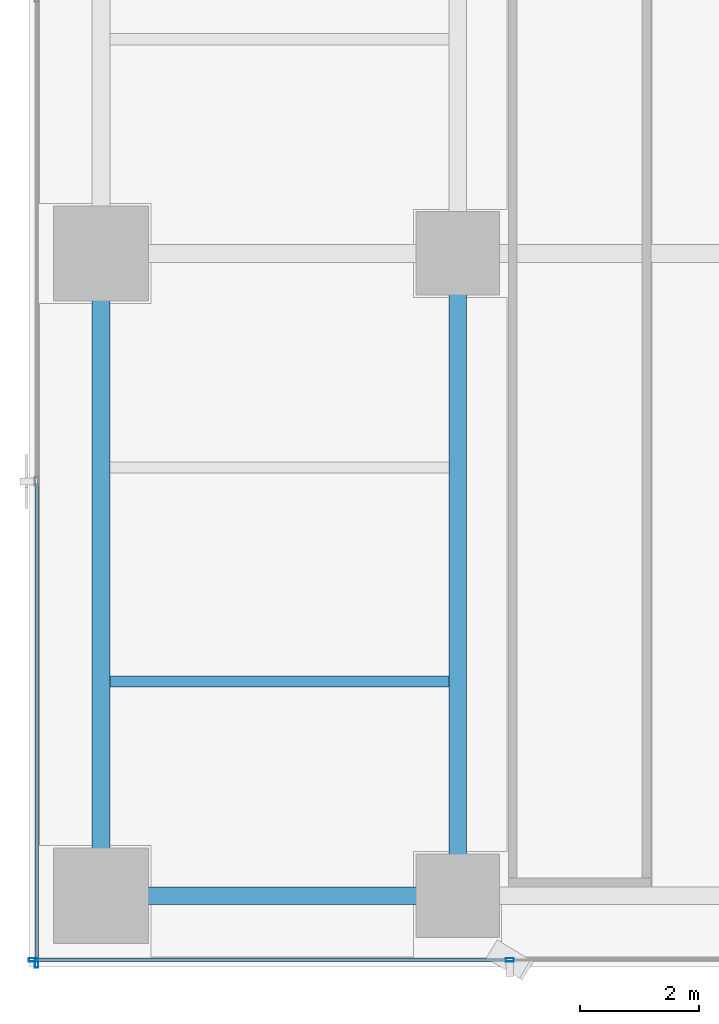
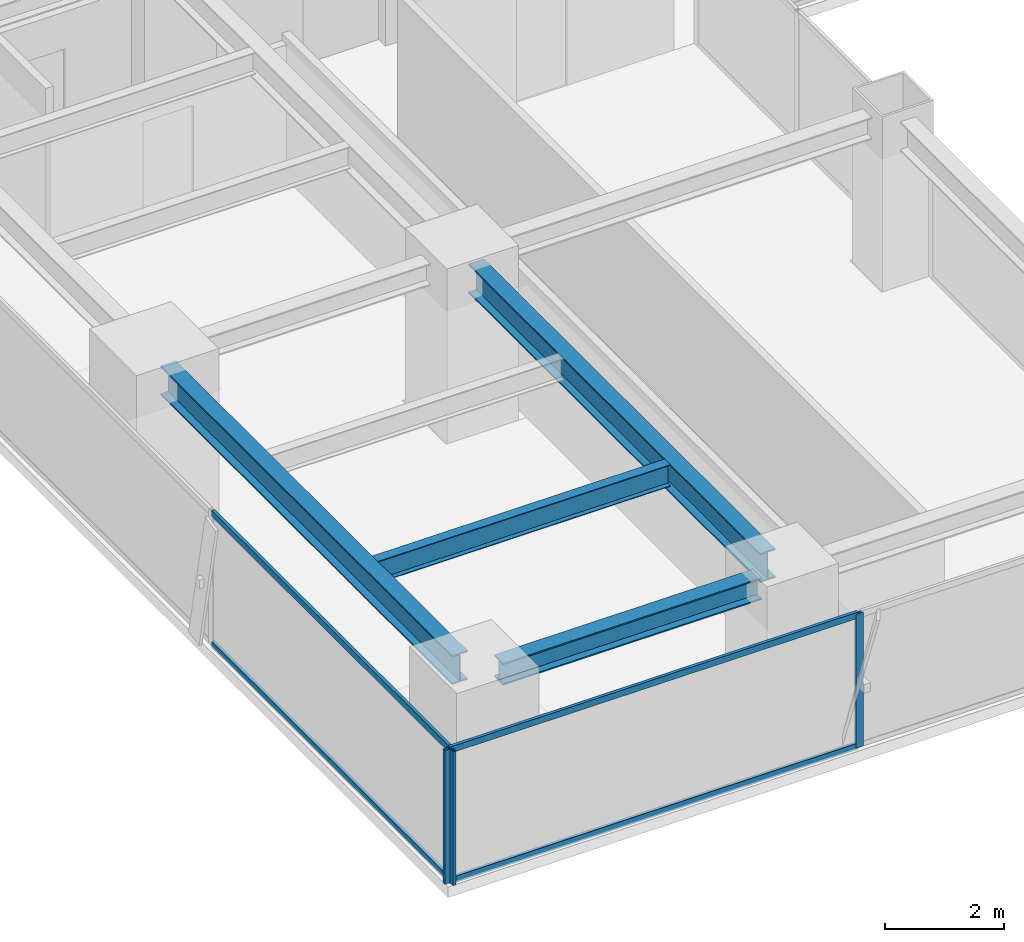
# One storey, part 2 of 29: 7 members, 4 beams, 2 elements without a shape of their own.
"""IFC4 building model written with IfcOpenShell, lengths in metres."""

from ifc_helpers import new_model, si_unit, direction, frame, origin, origin_2d, place, context, subcontext, project, spatial, hollow_rectangle, i_section, extrude, source, transform, mapped, material, layer, layer_set, material_profile, profile_set, type_object, element, aggregate, save


model = new_model("IFC4")

# Units and contexts
model_context = context("Model", 3, precision=1e-05, world=origin(), true_north=direction((0.0, 1.0)))
body_context = subcontext(model_context, "Body", "Model", "MODEL_VIEW")
ifc_project = project(units=[si_unit("LENGTHUNIT", "METRE"), si_unit("AREAUNIT", "SQUARE_METRE"), si_unit("VOLUMEUNIT", "CUBIC_METRE"), si_unit("PLANEANGLEUNIT", "RADIAN"), si_unit("MASSUNIT", "GRAM", prefix="KILO")], contexts=[model_context])

# Site, building, storey
site_placement = place(None, origin())
site = spatial("IfcSite", under=ifc_project, at=site_placement, CompositionType="ELEMENT")
building_placement = place(site_placement, origin())
building = spatial("IfcBuilding", under=site, at=building_placement, Name="Sumidabori Civic Tower", CompositionType="ELEMENT")
storey_placement = place(building_placement, frame((0.0, 0.0, 207.199951171875)))
storey = spatial("IfcBuildingStorey", under=building, at=storey_placement, Name="L53", CompositionType="ELEMENT", Elevation=207.199951171875)

# Beams
ifc_material_1 = material(Name="Steel SN490", Category="steel")
ifc_material_profile_1 = material_profile(ifc_material_1, i_section(OverallWidth=0.300048828125, OverallDepth=0.60009765625, WebThickness=0.015380859375, FlangeThickness=0.030029296875, at=origin_2d()), Name="HE 600 B")
ifc_profile_set_1 = profile_set([ifc_material_profile_1], Name="Steel SN490")
beam_type_1 = type_object("IfcBeamType", Name="BM-GIRD-600", PredefinedType="BEAM", material=ifc_profile_set_1)
shared_shape_1 = source(origin(), body_context, "Body", "SweptSolid", [
    extrude(i_section(OverallWidth=0.300048828125, OverallDepth=0.60009765625, WebThickness=0.015380859375, FlangeThickness=0.030029296875, at=origin_2d()), origin(), (0.0, 0.0, 1.0), 9.840087890625),
])
for number, where, z_axis, x_axis, name in (
    (1, (-22.800048828125, -10.320068359375, 3.080078125), (0.0, 1.0, 0.0), (-1.0, 0.0, 0.0), "Primary Girder L53 GY-11"),
    (2, (-16.800048828125, -10.320068359375, 3.080078125), (0.0, 1.0, 0.0), (-1.0, 0.0, 0.0), "Primary Girder L53 GY-14"),
):
    element("IfcBeam", number, at=place(storey_placement, frame(where, z_axis=z_axis, x_axis=x_axis)), inside=storey, type_object=beam_type_1, Name=name, PredefinedType="BEAM", context=body_context, shape_type="MappedRepresentation", body=[
        mapped(shared_shape_1, transform((0.0, 0.0, 0.0), x_axis=(1.0, 0.0, 0.0), y_axis=(0.0, 1.0, 0.0), z_axis=(0.0, 0.0, 1.0), scale=1.0)),
    ])
ifc_material_profile_2 = material_profile(ifc_material_1, i_section(OverallWidth=0.18994140625, OverallDepth=0.449951171875, WebThickness=0.009521484375, FlangeThickness=0.0146484375, at=origin_2d()), Name="IPE 450")
ifc_profile_set_2 = profile_set([ifc_material_profile_2], Name="Steel SN490")
beam_type_2 = type_object("IfcBeamType", Name="BM-JST-450", PredefinedType="JOIST", material=ifc_profile_set_2)
shared_shape_2 = source(origin(), body_context, "Body", "SweptSolid", [
    extrude(i_section(OverallWidth=0.18994140625, OverallDepth=0.449951171875, WebThickness=0.009521484375, FlangeThickness=0.0146484375, at=origin_2d()), origin(), (0.0, 0.0, 1.0), 5.699951171875),
])
beam_1_placement = place(storey_placement, frame((-22.64990234375, -7.199951171875, 3.155029296875), z_axis=(1.0, 0.0, 0.0), x_axis=(0.0, 1.0, 0.0)))
element("IfcBeam", 3, at=beam_1_placement, inside=storey, type_object=beam_type_2, Name="Outer Bay Floor Joist L53 JSTO-25", PredefinedType="JOIST", context=body_context, shape_type="MappedRepresentation", body=[
    mapped(shared_shape_2, transform((0.0, 0.0, 0.0), x_axis=(1.0, 0.0, 0.0), y_axis=(0.0, 1.0, 0.0), z_axis=(0.0, 0.0, 1.0), scale=1.0)),
])
ifc_material_profile_3 = material_profile(ifc_material_1, i_section(OverallWidth=0.300048828125, OverallDepth=0.449951171875, WebThickness=0.013916015625, FlangeThickness=0.02587890625, at=origin_2d()), Name="HE 450 B")
ifc_profile_set_3 = profile_set([ifc_material_profile_3], Name="Steel SN490")
beam_type_3 = type_object("IfcBeamType", Name="BM-GIRD-450", PredefinedType="BEAM", material=ifc_profile_set_3)
shared_shape_3 = source(origin(), body_context, "Body", "SweptSolid", [
    extrude(i_section(OverallWidth=0.300048828125, OverallDepth=0.449951171875, WebThickness=0.013916015625, FlangeThickness=0.02587890625, at=origin_2d()), origin(), (0.0, 0.0, 1.0), 5.0400390625),
])
beam_2_placement = place(storey_placement, frame((-22.320068359375, -10.800048828125, 3.155029296875), z_axis=(1.0, 0.0, 0.0), x_axis=(0.0, 1.0, 0.0)))
element("IfcBeam", 4, at=beam_2_placement, inside=storey, type_object=beam_type_3, Name="Primary Girder L53 GX-01", PredefinedType="BEAM", context=body_context, shape_type="MappedRepresentation", body=[
    mapped(shared_shape_3, transform((0.0, 0.0, 0.0), x_axis=(1.0, 0.0, 0.0), y_axis=(0.0, 1.0, 0.0), z_axis=(0.0, 0.0, 1.0), scale=1.0)),
])

# Curtain wall, members
ifc_material_2 = material(Name="Anodised Bronze Aluminium AW-6063-T6", Category="aluminium")
ifc_layer = layer(ifc_material_2, 0.179931640625, Name="Anodised Bronze Aluminium AW-6063-T6")
ifc_layer_set = layer_set([ifc_layer], Name="Anodised Bronze Aluminium AW-6063-T6")
curtain_wall_type = type_object("IfcCurtainWallType", Name="CW-SYS-5", PredefinedType="NOTDEFINED", material=ifc_layer_set)
curtain_wall_1_placement = place(storey_placement, origin())
curtain_wall_1 = element("IfcCurtainWall", 5, at=curtain_wall_1_placement, inside=storey, type_object=curtain_wall_type, Name="Curtain Wall CW:L53:R01", PredefinedType="NOTDEFINED")
ifc_material_profile_4 = material_profile(ifc_material_2, hollow_rectangle(XDim=0.06005859375, YDim=0.139892578125, WallThickness=0.0048828125, at=origin_2d()), Name="ALU MULLION 140x60")
ifc_profile_set_4 = profile_set([ifc_material_profile_4], Name="Anodised Bronze Aluminium AW-6063-T6")
member_type_1 = type_object("IfcMemberType", Name="CW-MUL-140", PredefinedType="MULLION", material=ifc_profile_set_4)
shared_shape_4 = source(origin(), body_context, "Body", "SweptSolid", [
    extrude(hollow_rectangle(XDim=0.06005859375, YDim=0.139892578125, WallThickness=0.0048828125, at=origin_2d()), origin(), (0.0, 0.0, 1.0), 2.760009765625),
])
member_1_placement = place(storey_placement, frame((-23.93994140625, -11.8798828125, 0.0), z_axis=(0.0, 0.0, 1.0), x_axis=(0.0, 1.0, 0.0)))
member_1 = element("IfcMember", 6, at=member_1_placement, type_object=member_type_1, Name="CW-5 mullion 1", PredefinedType="MULLION", context=body_context, shape_type="MappedRepresentation", body=[
    mapped(shared_shape_4, transform((0.0, 0.0, 0.0), x_axis=(1.0, 0.0, 0.0), y_axis=(0.0, 1.0, 0.0), z_axis=(0.0, 0.0, 1.0), scale=1.0)),
])
member_2_placement = place(storey_placement, frame((-15.925048828125, -11.8798828125, 0.0), z_axis=(0.0, 0.0, 1.0), x_axis=(0.0, 1.0, 0.0)))
member_2 = element("IfcMember", 7, at=member_2_placement, type_object=member_type_1, Name="CW-5 mullion 2", PredefinedType="MULLION", context=body_context, shape_type="MappedRepresentation", body=[
    mapped(shared_shape_4, transform((0.0, 0.0, 0.0), x_axis=(1.0, 0.0, 0.0), y_axis=(0.0, 1.0, 0.0), z_axis=(0.0, 0.0, 1.0), scale=1.0)),
])

# Curtain wall, member
curtain_wall_2_placement = place(storey_placement, origin())
curtain_wall_2 = element("IfcCurtainWall", 8, at=curtain_wall_2_placement, inside=storey, type_object=curtain_wall_type, Name="Curtain Wall CW:L53:R16", PredefinedType="NOTDEFINED")
member_3_placement = place(storey_placement, frame((-23.8798828125, -11.93994140625, 0.0), z_axis=(0.0, 0.0, 1.0), x_axis=(1.0, 0.0, 0.0)))
member_3 = element("IfcMember", 9, at=member_3_placement, type_object=member_type_1, Name="CW-5 mullion 5", PredefinedType="MULLION", context=body_context, shape_type="MappedRepresentation", body=[
    mapped(shared_shape_4, transform((0.0, 0.0, 0.0), x_axis=(1.0, 0.0, 0.0), y_axis=(0.0, 1.0, 0.0), z_axis=(0.0, 0.0, 1.0), scale=1.0)),
])

# Member
ifc_material_profile_5 = material_profile(ifc_material_2, hollow_rectangle(XDim=0.06005859375, YDim=0.1298828125, WallThickness=0.0048828125, at=origin_2d()), Name="ALU TRANSOM 130x60")
ifc_profile_set_5 = profile_set([ifc_material_profile_5], Name="Anodised Bronze Aluminium AW-6063-T6")
member_type_2 = type_object("IfcMemberType", Name="CW-TRN-130", PredefinedType="USERDEFINED", material=ifc_profile_set_5)
shared_shape_5 = source(origin(), body_context, "Body", "SweptSolid", [
    extrude(hollow_rectangle(XDim=0.06005859375, YDim=0.1298828125, WallThickness=0.0048828125, at=origin_2d()), origin(), (0.0, 0.0, 1.0), 7.954833984375),
])
member_4_placement = place(storey_placement, frame((-23.909912109375, -11.8798828125, 0.030029296875), z_axis=(1.0, 0.0, 0.0), x_axis=(0.0, 1.0, 0.0)))
member_4 = element("IfcMember", 10, at=member_4_placement, type_object=member_type_2, Name="CW-5 transom 1.1", ObjectType="TRANSOM", PredefinedType="USERDEFINED", context=body_context, shape_type="MappedRepresentation", body=[
    mapped(shared_shape_5, transform((0.0, 0.0, 0.0), x_axis=(1.0, 0.0, 0.0), y_axis=(0.0, 1.0, 0.0), z_axis=(0.0, 0.0, 1.0), scale=1.0)),
])

member_5_placement = place(storey_placement, frame((-23.909912109375, -11.8798828125, 2.72998046875), z_axis=(1.0, 0.0, 0.0), x_axis=(0.0, 1.0, 0.0)))
member_5 = element("IfcMember", 11, at=member_5_placement, type_object=member_type_2, Name="CW-5 transom 1.2", ObjectType="TRANSOM", PredefinedType="USERDEFINED", context=body_context, shape_type="MappedRepresentation", body=[
    mapped(shared_shape_5, transform((0.0, 0.0, 0.0), x_axis=(1.0, 0.0, 0.0), y_axis=(0.0, 1.0, 0.0), z_axis=(0.0, 0.0, 1.0), scale=1.0)),
])

aggregate(curtain_wall_1, [member_1, member_2, member_4, member_5])

shared_shape_6 = source(origin(), body_context, "Body", "SweptSolid", [
    extrude(hollow_rectangle(XDim=0.06005859375, YDim=0.1298828125, WallThickness=0.0048828125, at=origin_2d()), origin(), (0.0, 0.0, 1.0), 8.044921875),
])
member_6_placement = place(storey_placement, frame((-23.8798828125, -3.864990234375, 0.030029296875), z_axis=(0.0, -1.0, 0.0), x_axis=(1.0, 0.0, 0.0)))
member_6 = element("IfcMember", 12, at=member_6_placement, type_object=member_type_2, Name="CW-5 transom 4.1", ObjectType="TRANSOM", PredefinedType="USERDEFINED", context=body_context, shape_type="MappedRepresentation", body=[
    mapped(shared_shape_6, transform((0.0, 0.0, 0.0), x_axis=(1.0, 0.0, 0.0), y_axis=(0.0, 1.0, 0.0), z_axis=(0.0, 0.0, 1.0), scale=1.0)),
])

member_7_placement = place(storey_placement, frame((-23.8798828125, -3.864990234375, 2.72998046875), z_axis=(0.0, -1.0, 0.0), x_axis=(1.0, 0.0, 0.0)))
member_7 = element("IfcMember", 13, at=member_7_placement, type_object=member_type_2, Name="CW-5 transom 4.2", ObjectType="TRANSOM", PredefinedType="USERDEFINED", context=body_context, shape_type="MappedRepresentation", body=[
    mapped(shared_shape_6, transform((0.0, 0.0, 0.0), x_axis=(1.0, 0.0, 0.0), y_axis=(0.0, 1.0, 0.0), z_axis=(0.0, 0.0, 1.0), scale=1.0)),
])

aggregate(curtain_wall_2, [member_3, member_6, member_7])

save(model, "model.ifc")
